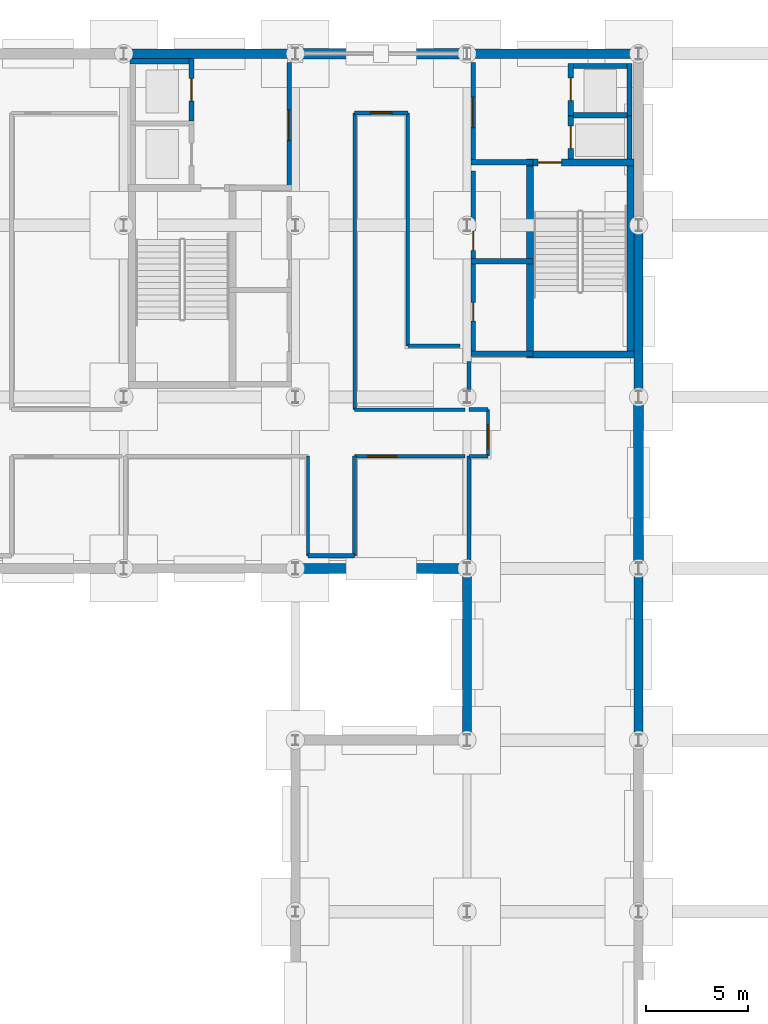
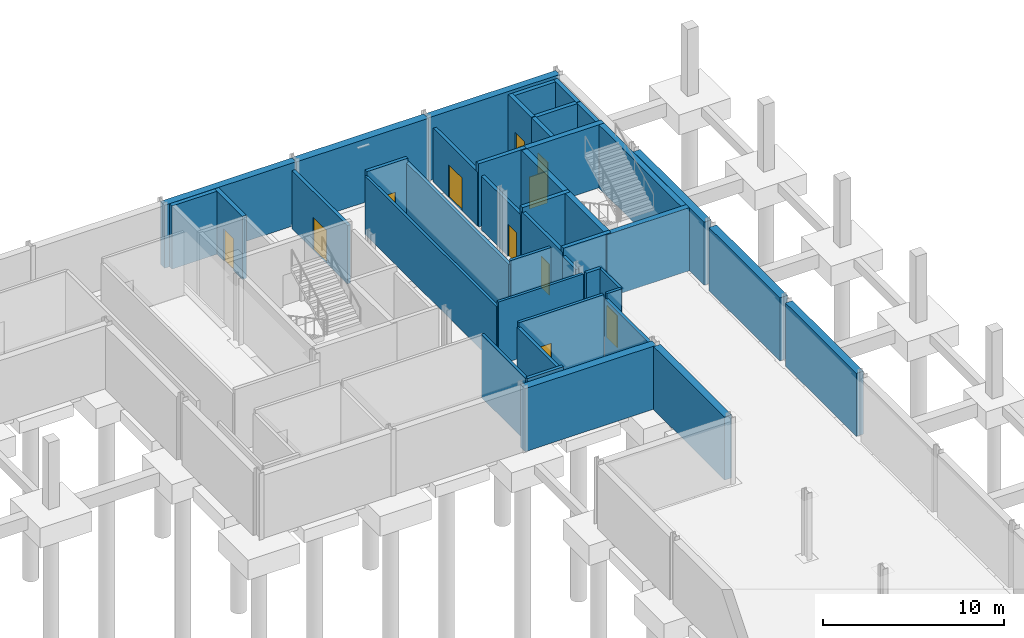
# One storey, part 33 of 43: 41 walls, 11 doors, 11 openings.
"""IFC4 building model written with IfcOpenShell, lengths in metres."""

from ifc_helpers import new_model, si_unit, direction, frame, frame_2d, origin, place, context, subcontext, project, spatial, rectangle, extrude, material, layer, layer_set, type_object, element, fill, save


model = new_model("IFC4")

# Units and contexts
model_context = context("Model", 3, precision=1e-05, world=origin(), true_north=direction((0.0, 1.0)))
body_context = subcontext(model_context, "Body", "Model", "MODEL_VIEW")
ifc_project = project(units=[si_unit("LENGTHUNIT", "METRE"), si_unit("AREAUNIT", "SQUARE_METRE"), si_unit("VOLUMEUNIT", "CUBIC_METRE"), si_unit("PLANEANGLEUNIT", "RADIAN"), si_unit("MASSUNIT", "GRAM", prefix="KILO")], contexts=[model_context])

# Site, building, storey
site_placement = place(None, origin())
site = spatial("IfcSite", under=ifc_project, at=site_placement, CompositionType="ELEMENT")
building_placement = place(site_placement, origin())
building = spatial("IfcBuilding", under=site, at=building_placement, Name="Mersafa Astral City Hall", CompositionType="ELEMENT")
storey_placement = place(building_placement, frame((0.0, 0.0, -4.5)))
storey = spatial("IfcBuildingStorey", under=building, at=storey_placement, Name="B1", CompositionType="ELEMENT", Elevation=-4.5)

# Walls
ifc_material_1 = material(Name="Concrete C40/50", Category="concrete")
ifc_layer_1 = layer(ifc_material_1, 0.449951171875, Name="Concrete C40/50")
ifc_layer_set_1 = layer_set([ifc_layer_1], Name="Concrete C40/50 — ENV-WAL-RET-450")
wall_type_1 = type_object("IfcWallType", Name="ENV-WAL-RET-450", PredefinedType="USERDEFINED", material=ifc_layer_set_1)
for number, where, z_axis, x_axis, name in (
    (1, (168.0, 100.514892578125, 0.0), (0.0, 0.0, 1.0), (0.0, -1.0, 0.0), "B1 Perimeter retaining wall 21"),
    (2, (176.39990234375, 92.68505859375, 0.0), (0.0, 0.0, 1.0), (0.0, 1.0, 0.0), "B1 Perimeter retaining wall 35"),
    (3, (176.39990234375, 109.485107421875, 0.0), (0.0, 0.0, 1.0), (0.0, 1.0, 0.0), "B1 Perimeter retaining wall 37"),
):
    element("IfcWall", number, at=place(storey_placement, frame(where, z_axis=z_axis, x_axis=x_axis)), inside=storey, type_object=wall_type_1, Name=name, ObjectType="RETAININGWALL", PredefinedType="USERDEFINED", context=body_context, shape_type="SweptSolid", body=[
        extrude(rectangle(XDim=7.829833984375, YDim=0.449951171875, at=frame_2d((3.9150390625, 0.0))), origin(), (0.0, 0.0, 1.0), 4.25),
    ])
for number, where, z_axis, x_axis, name in (
    (4, (176.39208984375, 126.0, 0.0), (0.0, 0.0, 1.0), (-1.0, 0.0, 0.0), "B1 Perimeter retaining wall 39"),
    (5, (159.592041015625, 126.0, 0.0), (0.0, 0.0, 1.0), (-1.0, 0.0, 0.0), "B1 Perimeter retaining wall 41"),
):
    element("IfcWall", number, at=place(storey_placement, frame(where, z_axis=z_axis, x_axis=x_axis)), inside=storey, type_object=wall_type_1, Name=name, ObjectType="RETAININGWALL", PredefinedType="USERDEFINED", context=body_context, shape_type="SweptSolid", body=[
        extrude(rectangle(XDim=8.384033203125, YDim=0.449951171875, at=frame_2d((4.19189453125, 0.0))), origin(), (0.0, 0.0, 1.0), 4.25),
    ])
ifc_layer_2 = layer(ifc_material_1, 0.5, Name="Concrete C40/50")
ifc_layer_set_2 = layer_set([ifc_layer_2], Name="Concrete C40/50 — ENV-WAL-RET-500")
wall_type_2 = type_object("IfcWallType", Name="ENV-WAL-RET-500", PredefinedType="USERDEFINED", material=ifc_layer_set_2)
wall_1_placement = place(storey_placement, frame((159.60791015625, 100.800048828125, 0.0), z_axis=(0.0, 0.0, 1.0), x_axis=(1.0, 0.0, 0.0)))
element("IfcWall", 6, at=wall_1_placement, inside=storey, type_object=wall_type_2, Name="B1 Perimeter retaining wall 20", ObjectType="RETAININGWALL", PredefinedType="USERDEFINED", context=body_context, shape_type="SweptSolid", body=[
    extrude(rectangle(XDim=8.384033203125, YDim=0.5, at=frame_2d((4.19189453125, 0.0))), origin(), (0.0, 0.0, 1.0), 4.25),
])
wall_2_placement = place(storey_placement, frame((176.39990234375, 101.0849609375, 0.0), z_axis=(0.0, 0.0, 1.0), x_axis=(0.0, 1.0, 0.0)))
element("IfcWall", 7, at=wall_2_placement, inside=storey, type_object=wall_type_2, Name="B1 Perimeter retaining wall 36", ObjectType="RETAININGWALL", PredefinedType="USERDEFINED", context=body_context, shape_type="SweptSolid", body=[
    extrude(rectangle(XDim=7.830078125, YDim=0.5, at=frame_2d((3.9150390625, 0.0))), origin(), (0.0, 0.0, 1.0), 4.25),
])
wall_3_placement = place(storey_placement, frame((167.991943359375, 126.0, 0.0), z_axis=(0.0, 0.0, 1.0), x_axis=(-1.0, 0.0, 0.0)))
element("IfcWall", 8, at=wall_3_placement, inside=storey, type_object=wall_type_2, Name="B1 Perimeter retaining wall 40", ObjectType="RETAININGWALL", PredefinedType="USERDEFINED", context=body_context, shape_type="SweptSolid", body=[
    extrude(rectangle(XDim=8.384033203125, YDim=0.5, at=frame_2d((4.19189453125, 0.0))), origin(), (0.0, 0.0, 1.0), 4.25),
])
ifc_layer_3 = layer(ifc_material_1, 0.260009765625, Name="Concrete C40/50")
ifc_layer_set_3 = layer_set([ifc_layer_3], Name="Concrete C40/50 — INT-WAL-CORE-260")
wall_type_3 = type_object("IfcWallType", Name="INT-WAL-CORE-260", PredefinedType="SHEAR", material=ifc_layer_set_3)
wall_4_placement = place(storey_placement, frame((151.514892578125, 125.635009765625, 0.0), z_axis=(0.0, 0.0, 1.0), x_axis=(1.0, 0.0, 0.0)))
element("IfcWall", 9, at=wall_4_placement, inside=storey, type_object=wall_type_3, Name="B1 Lift LF3 north shaft wall", PredefinedType="SHEAR", context=body_context, shape_type="SweptSolid", body=[
    extrude(rectangle(XDim=3.130126953125, YDim=0.260009765625, at=frame_2d((1.56494140625, 0.0))), origin(), (0.0, 0.0, 1.0), 4.25),
])

# Wall, opening, door
wall_5_placement = place(storey_placement, frame((154.514892578125, 122.705078125, 0.0), z_axis=(0.0, 0.0, 1.0), x_axis=(0.0, 1.0, 0.0)))
wall_5 = element("IfcWall", 10, at=wall_5_placement, inside=storey, type_object=wall_type_3, Name="B1 Lift LF3 front shaft wall", PredefinedType="SHEAR", context=body_context, shape_type="SweptSolid", body=[
    extrude(rectangle(XDim=3.059814453125, YDim=0.260009765625, at=frame_2d((1.52978515625, 0.0))), origin(), (0.0, 0.0, 1.0), 4.25),
])
opening_1_placement = place(wall_5_placement, frame((0.97998046875, 0.0, 0.0)))
opening_1 = element("IfcOpeningElement", 11, at=opening_1_placement, cuts=wall_5, Name="Opening LD-1", PredefinedType="OPENING", context=body_context, shape_type="SweptSolid", body=[
    extrude(rectangle(XDim=1.10009765625, YDim=2.14990234375, at=frame_2d((0.550048828125, 1.074951171875))), frame((0.0, 0.139892578125, 0.0), z_axis=(0.0, -1.0, 0.0), x_axis=(1.0, 0.0, 0.0)), (0.0, 0.0, 1.0), 0.280029296875),
])
ifc_material_2 = material(Name="Stainless steel sliding lift landing door", Category="steel")
door_type_1 = type_object("IfcDoorType", Name="INT-DR-LIFT-LD1", OperationType="NOTDEFINED", PredefinedType="DOOR", material=ifc_material_2)
door_1_placement = place(opening_1_placement, origin())
door_1 = element("IfcDoor", 12, at=door_1_placement, inside=storey, type_object=door_type_1, Name="Elevator LF3 Sliding Landing Door B1", OperationType="DOUBLE_DOOR_SLIDING", OverallHeight=2.14990234375, OverallWidth=1.10009765625, PredefinedType="DOOR", context=body_context, shape_type="SweptSolid", body=[
    extrude(rectangle(XDim=1.10009765625, YDim=2.14990234375, at=frame_2d((0.550048828125, 1.074951171875))), frame((0.0, 0.02490234375, 0.0), z_axis=(0.0, -1.0, 0.0), x_axis=(1.0, 0.0, 0.0)), (0.0, 0.0, 1.0), 0.050048828125),
])
fill(opening_1, door_1)

# Walls
wall_6_placement = place(storey_placement, frame((172.955078125, 122.9951171875, 0.0), z_axis=(0.0, 0.0, 1.0), x_axis=(1.0, 0.0, 0.0)))
element("IfcWall", 13, at=wall_6_placement, inside=storey, type_object=wall_type_3, Name="B1 Lift LF2 north shaft wall", PredefinedType="SHEAR", context=body_context, shape_type="SweptSolid", body=[
    extrude(rectangle(XDim=3.1298828125, YDim=0.260009765625, at=frame_2d((1.56494140625, 0.0))), origin(), (0.0, 0.0, 1.0), 4.25),
])
wall_7_placement = place(storey_placement, frame((175.955078125, 120.846923828125, 0.0), z_axis=(0.0, 0.0, 1.0), x_axis=(0.0, 1.0, 0.0)))
element("IfcWall", 14, at=wall_7_placement, inside=storey, type_object=wall_type_3, Name="B1 Lift LF2 back shaft wall", PredefinedType="SHEAR", context=body_context, shape_type="SweptSolid", body=[
    extrude(rectangle(XDim=2.108154296875, YDim=0.260009765625, at=frame_2d((1.05419921875, 0.0))), origin(), (0.0, 0.0, 1.0), 4.25),
])

# Wall, opening, door
wall_8_placement = place(storey_placement, frame((173.0849609375, 120.846923828125, 0.0), z_axis=(0.0, 0.0, 1.0), x_axis=(0.0, 1.0, 0.0)))
wall_8 = element("IfcWall", 15, at=wall_8_placement, inside=storey, type_object=wall_type_3, Name="B1 Lift LF2 front shaft wall", PredefinedType="SHEAR", context=body_context, shape_type="SweptSolid", body=[
    extrude(rectangle(XDim=2.108154296875, YDim=0.260009765625, at=frame_2d((1.05419921875, 0.0))), origin(), (0.0, 0.0, 1.0), 4.25),
])
opening_2_placement = place(wall_8_placement, frame((0.50390625, 0.0, 0.0)))
opening_2 = element("IfcOpeningElement", 16, at=opening_2_placement, cuts=wall_8, Name="Opening LD-1", PredefinedType="OPENING", context=body_context, shape_type="SweptSolid", body=[
    extrude(rectangle(XDim=1.10009765625, YDim=2.14990234375, at=frame_2d((0.550048828125, 1.074951171875))), frame((0.0, 0.139892578125, 0.0), z_axis=(0.0, -1.0, 0.0), x_axis=(1.0, 0.0, 0.0)), (0.0, 0.0, 1.0), 0.280029296875),
])
door_2_placement = place(opening_2_placement, origin())
door_2 = element("IfcDoor", 17, at=door_2_placement, inside=storey, type_object=door_type_1, Name="Elevator LF2 Sliding Landing Door B1", OperationType="DOUBLE_DOOR_SLIDING", OverallHeight=2.14990234375, OverallWidth=1.10009765625, PredefinedType="DOOR", context=body_context, shape_type="SweptSolid", body=[
    extrude(rectangle(XDim=1.10009765625, YDim=2.14990234375, at=frame_2d((0.550048828125, 1.074951171875))), frame((0.0, 0.02490234375, 0.0), z_axis=(0.0, -1.0, 0.0), x_axis=(1.0, 0.0, 0.0)), (0.0, 0.0, 1.0), 0.050048828125),
])
fill(opening_2, door_2)

# Walls
wall_9_placement = place(storey_placement, frame((172.955078125, 125.39501953125, 0.0), z_axis=(0.0, 0.0, 1.0), x_axis=(1.0, 0.0, 0.0)))
element("IfcWall", 18, at=wall_9_placement, inside=storey, type_object=wall_type_3, Name="B1 Lift LF4 north shaft wall", PredefinedType="SHEAR", context=body_context, shape_type="SweptSolid", body=[
    extrude(rectangle(XDim=3.1298828125, YDim=0.260009765625, at=frame_2d((1.56494140625, 0.0))), origin(), (0.0, 0.0, 1.0), 4.25),
])
wall_10_placement = place(storey_placement, frame((175.955078125, 122.985107421875, 0.0), z_axis=(0.0, 0.0, 1.0), x_axis=(0.0, 1.0, 0.0)))
element("IfcWall", 19, at=wall_10_placement, inside=storey, type_object=wall_type_3, Name="B1 Lift LF4 back shaft wall", PredefinedType="SHEAR", context=body_context, shape_type="SweptSolid", body=[
    extrude(rectangle(XDim=2.539794921875, YDim=0.260009765625, at=frame_2d((1.27001953125, 0.0))), origin(), (0.0, 0.0, 1.0), 4.25),
])

# Wall, opening, door
wall_11_placement = place(storey_placement, frame((173.0849609375, 122.985107421875, 0.0), z_axis=(0.0, 0.0, 1.0), x_axis=(0.0, 1.0, 0.0)))
wall_11 = element("IfcWall", 20, at=wall_11_placement, inside=storey, type_object=wall_type_3, Name="B1 Lift LF4 front shaft wall", PredefinedType="SHEAR", context=body_context, shape_type="SweptSolid", body=[
    extrude(rectangle(XDim=2.539794921875, YDim=0.260009765625, at=frame_2d((1.27001953125, 0.0))), origin(), (0.0, 0.0, 1.0), 4.25),
])
opening_3_placement = place(wall_11_placement, frame((0.719970703125, 0.0, 0.0)))
opening_3 = element("IfcOpeningElement", 21, at=opening_3_placement, cuts=wall_11, Name="Opening LD-1", PredefinedType="OPENING", context=body_context, shape_type="SweptSolid", body=[
    extrude(rectangle(XDim=1.10009765625, YDim=2.14990234375, at=frame_2d((0.550048828125, 1.074951171875))), frame((0.0, 0.139892578125, 0.0), z_axis=(0.0, -1.0, 0.0), x_axis=(1.0, 0.0, 0.0)), (0.0, 0.0, 1.0), 0.280029296875),
])
door_3_placement = place(opening_3_placement, origin())
door_3 = element("IfcDoor", 22, at=door_3_placement, inside=storey, type_object=door_type_1, Name="Elevator LF4 Sliding Landing Door B1", OperationType="DOUBLE_DOOR_SLIDING", OverallHeight=2.14990234375, OverallWidth=1.10009765625, PredefinedType="DOOR", context=body_context, shape_type="SweptSolid", body=[
    extrude(rectangle(XDim=1.10009765625, YDim=2.14990234375, at=frame_2d((0.550048828125, 1.074951171875))), frame((0.0, 0.02490234375, 0.0), z_axis=(0.0, -1.0, 0.0), x_axis=(1.0, 0.0, 0.0)), (0.0, 0.0, 1.0), 0.050048828125),
])
fill(opening_3, door_3)

# Walls
for number, where, z_axis, x_axis, name in (
    (23, (168.199951171875, 111.320068359375, 0.0), (0.0, 0.0, 1.0), (1.0, 0.0, 0.0), "B1 Core K2 riser south wall"),
    (24, (168.199951171875, 115.8349609375, 0.0), (0.0, 0.0, 1.0), (1.0, 0.0, 0.0), "B1 Core K2 riser-restroom divider wall"),
    (25, (168.199951171875, 120.68994140625, 0.0), (0.0, 0.0, 1.0), (1.0, 0.0, 0.0), "B1 Core K2 restroom-lobby divider wall"),
):
    element("IfcWall", number, at=place(storey_placement, frame(where, z_axis=z_axis, x_axis=x_axis)), inside=storey, type_object=wall_type_3, Name=name, PredefinedType="SHEAR", context=body_context, shape_type="SweptSolid", body=[
        extrude(rectangle(XDim=3.03515625, YDim=0.260009765625, at=frame_2d((1.517578125, 0.0))), origin(), (0.0, 0.0, 1.0), 4.25),
    ])
ifc_layer_4 = layer(ifc_material_1, 0.340087890625, Name="Concrete C40/50")
ifc_layer_set_4 = layer_set([ifc_layer_4], Name="Concrete C40/50 — INT-WAL-CORE-340")
wall_type_4 = type_object("IfcWallType", Name="INT-WAL-CORE-340", PredefinedType="SHEAR", material=ifc_layer_set_4)
for number, where, z_axis, x_axis, name in (
    (26, (171.0849609375, 111.10498046875, 0.0), (0.0, 0.0, 1.0), (0.0, 1.0, 0.0), "B1 Core K2 stair west shear wall"),
    (27, (175.9951171875, 111.10498046875, 0.0), (0.0, 0.0, 1.0), (0.0, 1.0, 0.0), "B1 Core K2 stair east shear wall"),
):
    element("IfcWall", number, at=place(storey_placement, frame(where, z_axis=z_axis, x_axis=x_axis)), inside=storey, type_object=wall_type_4, Name=name, PredefinedType="SHEAR", context=body_context, shape_type="SweptSolid", body=[
        extrude(rectangle(XDim=9.739990234375, YDim=0.340087890625, at=frame_2d((4.8701171875, 0.0))), origin(), (0.0, 0.0, 1.0), 4.25),
    ])
wall_12_placement = place(storey_placement, frame((170.9150390625, 111.27490234375, 0.0), z_axis=(0.0, 0.0, 1.0), x_axis=(1.0, 0.0, 0.0)))
element("IfcWall", 28, at=wall_12_placement, inside=storey, type_object=wall_type_4, Name="B1 Core K2 stair south shear wall", PredefinedType="SHEAR", context=body_context, shape_type="SweptSolid", body=[
    extrude(rectangle(XDim=5.25, YDim=0.340087890625, at=frame_2d((2.625, 0.0))), origin(), (0.0, 0.0, 1.0), 4.25),
])

# Wall, opening, door
wall_13_placement = place(storey_placement, frame((170.9150390625, 120.675048828125, 0.0), z_axis=(0.0, 0.0, 1.0), x_axis=(1.0, 0.0, 0.0)))
wall_13 = element("IfcWall", 29, at=wall_13_placement, inside=storey, type_object=wall_type_4, Name="B1 Core K2 stair-lobby fire wall", PredefinedType="SHEAR", context=body_context, shape_type="SweptSolid", body=[
    extrude(rectangle(XDim=5.25, YDim=0.340087890625, at=frame_2d((2.625, 0.0))), origin(), (0.0, 0.0, 1.0), 4.25),
])
opening_4_placement = place(wall_13_placement, frame((0.56494140625, 0.0, 0.0)))
opening_4 = element("IfcOpeningElement", 30, at=opening_4_placement, cuts=wall_13, Name="Opening CD-1", PredefinedType="OPENING", context=body_context, shape_type="SweptSolid", body=[
    extrude(rectangle(XDim=1.14990234375, YDim=2.14990234375, at=frame_2d((0.574951171875, 1.074951171875))), frame((0.0, 0.179931640625, 0.0), z_axis=(0.0, -1.0, 0.0), x_axis=(1.0, 0.0, 0.0)), (0.0, 0.0, 1.0), 0.360107421875),
])
ifc_material_3 = material(Name="Fire-rated steel stair door", Category="steel")
door_type_2 = type_object("IfcDoorType", Name="INT-DR-STAIR-FD90-1150", OperationType="NOTDEFINED", PredefinedType="DOOR", material=ifc_material_3)
door_4_placement = place(opening_4_placement, origin())
door_4 = element("IfcDoor", 31, at=door_4_placement, inside=storey, type_object=door_type_2, Name="B1 Protected Stair ST2 Door", OperationType="SINGLE_SWING_LEFT", OverallHeight=2.14990234375, OverallWidth=1.14990234375, PredefinedType="DOOR", context=body_context, shape_type="SweptSolid", body=[
    extrude(rectangle(XDim=1.14990234375, YDim=2.14990234375, at=frame_2d((0.574951171875, 1.074951171875))), frame((0.0, 0.02490234375, 0.0), z_axis=(0.0, -1.0, 0.0), x_axis=(1.0, 0.0, 0.0)), (0.0, 0.0, 1.0), 0.050048828125),
])
fill(opening_4, door_4)

ifc_material_4 = material(Name="Fire-rated gypsum stud partition", Category="gypsum")
ifc_layer_5 = layer(ifc_material_4, 0.1650390625, Name="Fire-rated gypsum stud partition")
ifc_layer_set_5 = layer_set([ifc_layer_5], Name="Fire-rated gypsum stud partition — INT-WAL-PART-EI60-165")
wall_type_5 = type_object("IfcWallType", Name="INT-WAL-PART-EI60-165", PredefinedType="STANDARD", material=ifc_layer_set_5)
wall_14_placement = place(storey_placement, frame((169.030029296875, 106.300048828125, -0.00390625), z_axis=(0.0, 0.0, 1.0), x_axis=(0.0, 1.0, 0.0)))
wall_14 = element("IfcWall", 32, at=wall_14_placement, inside=storey, type_object=wall_type_5, Name="B1 Interior partition wall 71", PredefinedType="STANDARD", context=body_context, shape_type="SweptSolid", body=[
    extrude(rectangle(XDim=2.280029296875, YDim=0.1650390625, at=frame_2d((1.14013671875, 0.0))), origin(), (0.0, 0.0, 1.0), 4.25390625),
])
opening_5_placement = place(wall_14_placement, frame((0.360107421875, 0.0, 0.014892578125)))
opening_5 = element("IfcOpeningElement", 33, at=opening_5_placement, cuts=wall_14, Name="Opening D-14", PredefinedType="OPENING", context=body_context, shape_type="SweptSolid", body=[
    extrude(rectangle(XDim=1.179931640625, YDim=2.139892578125, at=frame_2d((0.58984375, 1.06982421875))), frame((0.0, 0.092529296875, 0.0), z_axis=(0.0, -1.0, 0.0), x_axis=(1.0, 0.0, 0.0)), (0.0, 0.0, 1.0), 0.18505859375),
])
ifc_material_5 = material(Name="Cedar veneered acoustic fire-rated timber door", Category="wood")
door_type_3 = type_object("IfcDoorType", Name="INT-DR-RM-D-14", OperationType="NOTDEFINED", PredefinedType="DOOR", material=ifc_material_5)
door_5_placement = place(opening_5_placement, origin())
door_5 = element("IfcDoor", 34, at=door_5_placement, inside=storey, type_object=door_type_3, Name="B1 Central Archive Stack B1-13 Entrance Door", OperationType="SINGLE_SWING_RIGHT", OverallHeight=2.139892578125, OverallWidth=1.179931640625, PredefinedType="DOOR", context=body_context, shape_type="SweptSolid", body=[
    extrude(rectangle(XDim=1.179931640625, YDim=2.139892578125, at=frame_2d((0.58984375, 1.06982421875))), frame((0.0, 0.02490234375, 0.0), z_axis=(0.0, -1.0, 0.0), x_axis=(1.0, 0.0, 0.0)), (0.0, 0.0, 1.0), 0.050048828125),
])
fill(opening_5, door_5)

# Walls
wall_15_placement = place(storey_placement, frame((160.219970703125, 106.300048828125, -0.00390625), z_axis=(0.0, 0.0, 1.0), x_axis=(0.0, -1.0, 0.0)))
element("IfcWall", 35, at=wall_15_placement, inside=storey, type_object=wall_type_5, Name="B1 Interior partition wall 79", PredefinedType="STANDARD", context=body_context, shape_type="SweptSolid", body=[
    extrude(rectangle(XDim=4.880126953125, YDim=0.1650390625, at=frame_2d((2.43994140625, 0.0))), origin(), (0.0, 0.0, 1.0), 4.25390625),
])
wall_16_placement = place(storey_placement, frame((162.5, 108.580078125, -0.00390625), z_axis=(0.0, 0.0, 1.0), x_axis=(0.0, 1.0, 0.0)))
element("IfcWall", 36, at=wall_16_placement, inside=storey, type_object=wall_type_5, Name="B1 Interior partition wall 91", PredefinedType="STANDARD", context=body_context, shape_type="SweptSolid", body=[
    extrude(rectangle(XDim=14.52001953125, YDim=0.1650390625, at=frame_2d((7.260009765625, 0.0))), origin(), (0.0, 0.0, 1.0), 3.935791015625),
])
wall_17_placement = place(storey_placement, frame((167.909912109375, 108.580078125, -0.00390625), z_axis=(0.0, 0.0, 1.0), x_axis=(-1.0, 0.0, 0.0)))
element("IfcWall", 37, at=wall_17_placement, inside=storey, type_object=wall_type_5, Name="B1 Interior partition wall 95", PredefinedType="STANDARD", context=body_context, shape_type="SweptSolid", body=[
    extrude(rectangle(XDim=5.409912109375, YDim=0.1650390625, at=frame_2d((2.705078125, 0.0))), origin(), (0.0, 0.0, 1.0), 4.25390625),
])
ifc_material_6 = material(Name="Acoustic twin-stud gypsum partition", Category="gypsum")
ifc_layer_6 = layer(ifc_material_6, 0.179931640625, Name="Acoustic twin-stud gypsum partition")
ifc_layer_set_6 = layer_set([ifc_layer_6], Name="Acoustic twin-stud gypsum partition — INT-WAL-PART-EI60-180")
wall_type_6 = type_object("IfcWallType", Name="INT-WAL-PART-EI60-180", PredefinedType="STANDARD", material=ifc_layer_set_6)
wall_18_placement = place(storey_placement, frame((168.090087890625, 106.300048828125, -0.00390625), z_axis=(0.0, 0.0, 1.0), x_axis=(1.0, 0.0, 0.0)))
element("IfcWall", 38, at=wall_18_placement, inside=storey, type_object=wall_type_6, Name="B1 Interior partition wall 70", PredefinedType="STANDARD", context=body_context, shape_type="SweptSolid", body=[
    extrude(rectangle(XDim=0.93994140625, YDim=0.179931640625, at=frame_2d((0.469970703125, 0.0))), origin(), (0.0, 0.0, 1.0), 4.25390625),
])

# Wall, opening, door
wall_19_placement = place(storey_placement, frame((162.5, 106.300048828125, -0.00390625), z_axis=(0.0, 0.0, 1.0), x_axis=(1.0, 0.0, 0.0)))
wall_19 = element("IfcWall", 39, at=wall_19_placement, inside=storey, type_object=wall_type_6, Name="B1 Interior partition wall 82", PredefinedType="STANDARD", context=body_context, shape_type="SweptSolid", body=[
    extrude(rectangle(XDim=5.409912109375, YDim=0.179931640625, at=frame_2d((2.705078125, 0.0))), origin(), (0.0, 0.0, 1.0), 4.25390625),
])
opening_6_placement = place(wall_19_placement, frame((0.652587890625, 0.0, 0.014892578125)))
opening_6 = element("IfcOpeningElement", 40, at=opening_6_placement, cuts=wall_19, Name="Opening D-16", PredefinedType="OPENING", context=body_context, shape_type="SweptSolid", body=[
    extrude(rectangle(XDim=1.39990234375, YDim=2.139892578125, at=frame_2d((0.699951171875, 1.06982421875))), frame((0.0, 0.099853515625, 0.0), z_axis=(0.0, -1.0, 0.0), x_axis=(1.0, 0.0, 0.0)), (0.0, 0.0, 1.0), 0.199951171875),
])
door_type_4 = type_object("IfcDoorType", Name="INT-DR-RM-D-16", OperationType="NOTDEFINED", PredefinedType="DOOR", material=ifc_material_5)
door_6_placement = place(opening_6_placement, origin())
door_6 = element("IfcDoor", 41, at=door_6_placement, inside=storey, type_object=door_type_4, Name="B1 Municipal Deeds Repository B1-15 Entrance Door", OperationType="SINGLE_SWING_RIGHT", OverallHeight=2.139892578125, OverallWidth=1.39990234375, PredefinedType="DOOR", context=body_context, shape_type="SweptSolid", body=[
    extrude(rectangle(XDim=1.39990234375, YDim=2.139892578125, at=frame_2d((0.699951171875, 1.06982421875))), frame((0.0, 0.02490234375, 0.0), z_axis=(0.0, -1.0, 0.0), x_axis=(1.0, 0.0, 0.0)), (0.0, 0.0, 1.0), 0.050048828125),
])
fill(opening_6, door_6)

# Walls
wall_20_placement = place(storey_placement, frame((165.10009765625, 111.699951171875, -0.00390625), z_axis=(0.0, 0.0, 1.0), x_axis=(1.0, 0.0, 0.0)))
element("IfcWall", 42, at=wall_20_placement, inside=storey, type_object=wall_type_6, Name="B1 Interior partition wall 94", PredefinedType="STANDARD", context=body_context, shape_type="SweptSolid", body=[
    extrude(rectangle(XDim=2.559814453125, YDim=0.179931640625, at=frame_2d((1.27978515625, 0.0))), origin(), (0.0, 0.0, 1.0), 4.25390625),
])
ifc_layer_7 = layer(ifc_material_6, 0.195068359375, Name="Acoustic twin-stud gypsum partition")
ifc_layer_set_7 = layer_set([ifc_layer_7], Name="Acoustic twin-stud gypsum partition — INT-WAL-PART-EI60-195")
wall_type_7 = type_object("IfcWallType", Name="INT-WAL-PART-EI60-195", PredefinedType="STANDARD", material=ifc_layer_set_7)
wall_21_placement = place(storey_placement, frame((168.090087890625, 101.2099609375, -0.00390625), z_axis=(0.0, 0.0, 1.0), x_axis=(0.0, 1.0, 0.0)))
element("IfcWall", 43, at=wall_21_placement, inside=storey, type_object=wall_type_7, Name="B1 Interior partition wall 69", PredefinedType="STANDARD", context=body_context, shape_type="SweptSolid", body=[
    extrude(rectangle(XDim=5.090087890625, YDim=0.195068359375, at=frame_2d((2.544921875, 0.0))), origin(), (0.0, 0.0, 1.0), 3.885986328125),
])
wall_22_placement = place(storey_placement, frame((168.090087890625, 109.481689453125, -0.00390625), z_axis=(0.0, 0.0, 1.0), x_axis=(0.0, 1.0, 0.0)))
element("IfcWall", 44, at=wall_22_placement, inside=storey, type_object=wall_type_7, Name="B1 Interior partition wall 73", PredefinedType="STANDARD", context=body_context, shape_type="SweptSolid", body=[
    extrude(rectangle(XDim=1.458251953125, YDim=0.195068359375, at=frame_2d((0.72900390625, 0.0))), origin(), (0.0, 0.0, 1.0), 3.926025390625),
])
wall_23_placement = place(storey_placement, frame((162.5, 101.419921875, -0.00390625), z_axis=(0.0, 0.0, 1.0), x_axis=(0.0, 1.0, 0.0)))
element("IfcWall", 45, at=wall_23_placement, inside=storey, type_object=wall_type_7, Name="B1 Interior partition wall 81", PredefinedType="STANDARD", context=body_context, shape_type="SweptSolid", body=[
    extrude(rectangle(XDim=4.880126953125, YDim=0.195068359375, at=frame_2d((2.43994140625, 0.0))), origin(), (0.0, 0.0, 1.0), 3.935791015625),
])
wall_24_placement = place(storey_placement, frame((165.10009765625, 123.10009765625, -0.00390625), z_axis=(0.0, 0.0, 1.0), x_axis=(0.0, -1.0, 0.0)))
element("IfcWall", 46, at=wall_24_placement, inside=storey, type_object=wall_type_7, Name="B1 Interior partition wall 93", PredefinedType="STANDARD", context=body_context, shape_type="SweptSolid", body=[
    extrude(rectangle(XDim=11.400146484375, YDim=0.195068359375, at=frame_2d((5.7001953125, 0.0))), origin(), (0.0, 0.0, 1.0), 3.9658203125),
])

# Wall, opening, door
ifc_material_7 = material(Name="Autoclaved aerated concrete blockwork plastered", Category="masonry")
ifc_layer_8 = layer(ifc_material_7, 0.2099609375, Name="Autoclaved aerated concrete blockwork plastered")
ifc_layer_set_8 = layer_set([ifc_layer_8], Name="Autoclaved aerated concrete blockwork plastered — INT-WAL-PART-EI60-210")
wall_type_8 = type_object("IfcWallType", Name="INT-WAL-PART-EI60-210", PredefinedType="STANDARD", material=ifc_layer_set_8)
wall_25_placement = place(storey_placement, frame((159.300048828125, 119.43994140625, 0.0), z_axis=(0.0, 0.0, 1.0), x_axis=(0.0, 1.0, 0.0)))
wall_25 = element("IfcWall", 47, at=wall_25_placement, inside=storey, type_object=wall_type_8, Name="B1 Core K1 lobby corridor partition", PredefinedType="STANDARD", context=body_context, shape_type="SweptSolid", body=[
    extrude(rectangle(XDim=6.1201171875, YDim=0.2099609375, at=frame_2d((3.06005859375, 0.0))), origin(), (0.0, 0.0, 1.0), 3.922119140625),
])
opening_7_placement = place(wall_25_placement, frame((2.31005859375, 0.0, 0.0)))
opening_7 = element("IfcOpeningElement", 48, at=opening_7_placement, cuts=wall_25, Name="Opening CD-3", PredefinedType="OPENING", context=body_context, shape_type="SweptSolid", body=[
    extrude(rectangle(XDim=1.5, YDim=2.199951171875, at=frame_2d((0.75, 1.10009765625))), frame((0.0, 0.114990234375, 0.0), z_axis=(0.0, -1.0, 0.0), x_axis=(1.0, 0.0, 0.0)), (0.0, 0.0, 1.0), 0.22998046875),
])
ifc_material_8 = material(Name="Fire-rated glazed lobby door pair", Category="metal")
door_type_5 = type_object("IfcDoorType", Name="INT-DR-LOBBY-FD90-1500", OperationType="NOTDEFINED", PredefinedType="DOOR", material=ifc_material_8)
door_7_placement = place(opening_7_placement, origin())
door_7 = element("IfcDoor", 49, at=door_7_placement, inside=storey, type_object=door_type_5, Name="B1 K1 Lift Lobby Fire Door", OperationType="DOUBLE_DOOR_SINGLE_SWING", OverallHeight=2.199951171875, OverallWidth=1.5, PredefinedType="DOOR", context=body_context, shape_type="SweptSolid", body=[
    extrude(rectangle(XDim=1.5, YDim=2.199951171875, at=frame_2d((0.75, 1.10009765625))), frame((0.0, 0.02490234375, 0.0), z_axis=(0.0, -1.0, 0.0), x_axis=(1.0, 0.0, 0.0)), (0.0, 0.0, 1.0), 0.050048828125),
])
fill(opening_7, door_7)

wall_26_placement = place(storey_placement, frame((168.300048828125, 111.320068359375, 0.0), z_axis=(0.0, 0.0, 1.0), x_axis=(0.0, 1.0, 0.0)))
wall_26 = element("IfcWall", 50, at=wall_26_placement, inside=storey, type_object=wall_type_8, Name="B1 Core K2 riser corridor partition", PredefinedType="STANDARD", context=body_context, shape_type="SweptSolid", body=[
    extrude(rectangle(XDim=4.489990234375, YDim=0.2099609375, at=frame_2d((2.2451171875, 0.0))), origin(), (0.0, 0.0, 1.0), 3.922119140625),
])
opening_8_placement = place(wall_26_placement, frame((1.60009765625, 0.0, 0.0)))
opening_8 = element("IfcOpeningElement", 51, at=opening_8_placement, cuts=wall_26, Name="Opening CD-5", PredefinedType="OPENING", context=body_context, shape_type="SweptSolid", body=[
    extrude(rectangle(XDim=0.89990234375, YDim=2.10009765625, at=frame_2d((0.449951171875, 1.050048828125))), frame((0.0, 0.114990234375, 0.0), z_axis=(0.0, -1.0, 0.0), x_axis=(1.0, 0.0, 0.0)), (0.0, 0.0, 1.0), 0.22998046875),
])
ifc_material_9 = material(Name="Fire-rated steel riser access door", Category="steel")
door_type_6 = type_object("IfcDoorType", Name="INT-DR-RISER-FD60-900", OperationType="NOTDEFINED", PredefinedType="DOOR", material=ifc_material_9)
door_8_placement = place(opening_8_placement, origin())
door_8 = element("IfcDoor", 52, at=door_8_placement, inside=storey, type_object=door_type_6, Name="B1 K2 MEP Riser Access Door", OperationType="SINGLE_SWING_LEFT", OverallHeight=2.10009765625, OverallWidth=0.89990234375, PredefinedType="DOOR", context=body_context, shape_type="SweptSolid", body=[
    extrude(rectangle(XDim=0.89990234375, YDim=2.10009765625, at=frame_2d((0.449951171875, 1.050048828125))), frame((0.0, 0.02490234375, 0.0), z_axis=(0.0, -1.0, 0.0), x_axis=(1.0, 0.0, 0.0)), (0.0, 0.0, 1.0), 0.050048828125),
])
fill(opening_8, door_8)

wall_27_placement = place(storey_placement, frame((168.300048828125, 115.919921875, 0.0), z_axis=(0.0, 0.0, 1.0), x_axis=(0.0, 1.0, 0.0)))
wall_27 = element("IfcWall", 53, at=wall_27_placement, inside=storey, type_object=wall_type_8, Name="B1 Core K2 accessible WC corridor partition", PredefinedType="STANDARD", context=body_context, shape_type="SweptSolid", body=[
    extrude(rectangle(XDim=4.330078125, YDim=0.2099609375, at=frame_2d((2.1650390625, 0.0))), origin(), (0.0, 0.0, 1.0), 3.632080078125),
])
opening_9_placement = place(wall_27_placement, frame((0.449951171875, 0.0, 0.0)))
opening_9 = element("IfcOpeningElement", 54, at=opening_9_placement, cuts=wall_27, Name="Opening CD-4", PredefinedType="OPENING", context=body_context, shape_type="SweptSolid", body=[
    extrude(rectangle(XDim=0.949951171875, YDim=2.14990234375, at=frame_2d((0.47509765625, 1.074951171875))), frame((0.0, 0.114990234375, 0.0), z_axis=(0.0, -1.0, 0.0), x_axis=(1.0, 0.0, 0.0)), (0.0, 0.0, 1.0), 0.22998046875),
])
ifc_material_10 = material(Name="Accessible timber acoustic WC door", Category="wood")
door_type_7 = type_object("IfcDoorType", Name="INT-DR-WC-FD30-950", OperationType="NOTDEFINED", PredefinedType="DOOR", material=ifc_material_10)
door_9_placement = place(opening_9_placement, origin())
door_9 = element("IfcDoor", 55, at=door_9_placement, inside=storey, type_object=door_type_7, Name="B1 K2 Accessible Restroom Door", OperationType="SINGLE_SWING_RIGHT", OverallHeight=2.14990234375, OverallWidth=0.949951171875, PredefinedType="DOOR", context=body_context, shape_type="SweptSolid", body=[
    extrude(rectangle(XDim=0.949951171875, YDim=2.14990234375, at=frame_2d((0.47509765625, 1.074951171875))), frame((0.0, 0.02490234375, 0.0), z_axis=(0.0, -1.0, 0.0), x_axis=(1.0, 0.0, 0.0)), (0.0, 0.0, 1.0), 0.050048828125),
])
fill(opening_9, door_9)

wall_28_placement = place(storey_placement, frame((168.300048828125, 120.699951171875, 0.0), z_axis=(0.0, 0.0, 1.0), x_axis=(0.0, 1.0, 0.0)))
wall_28 = element("IfcWall", 56, at=wall_28_placement, inside=storey, type_object=wall_type_8, Name="B1 Core K2 lobby corridor partition", PredefinedType="STANDARD", context=body_context, shape_type="SweptSolid", body=[
    extrude(rectangle(XDim=4.860107421875, YDim=0.2099609375, at=frame_2d((2.43017578125, 0.0))), origin(), (0.0, 0.0, 1.0), 3.632080078125),
])
opening_10_placement = place(wall_28_placement, frame((1.679931640625, 0.0, 0.0)))
opening_10 = element("IfcOpeningElement", 57, at=opening_10_placement, cuts=wall_28, Name="Opening CD-3", PredefinedType="OPENING", context=body_context, shape_type="SweptSolid", body=[
    extrude(rectangle(XDim=1.5, YDim=2.199951171875, at=frame_2d((0.75, 1.10009765625))), frame((0.0, 0.114990234375, 0.0), z_axis=(0.0, -1.0, 0.0), x_axis=(1.0, 0.0, 0.0)), (0.0, 0.0, 1.0), 0.22998046875),
])
door_10_placement = place(opening_10_placement, origin())
door_10 = element("IfcDoor", 58, at=door_10_placement, inside=storey, type_object=door_type_5, Name="B1 K2 Lift Lobby Fire Door", OperationType="DOUBLE_DOOR_SINGLE_SWING", OverallHeight=2.199951171875, OverallWidth=1.5, PredefinedType="DOOR", context=body_context, shape_type="SweptSolid", body=[
    extrude(rectangle(XDim=1.5, YDim=2.199951171875, at=frame_2d((0.75, 1.10009765625))), frame((0.0, 0.02490234375, 0.0), z_axis=(0.0, -1.0, 0.0), x_axis=(1.0, 0.0, 0.0)), (0.0, 0.0, 1.0), 0.050048828125),
])
fill(opening_10, door_10)

# Walls
wall_29_placement = place(storey_placement, frame((169.030029296875, 108.580078125, -0.00390625), z_axis=(0.0, 0.0, 1.0), x_axis=(-1.0, 0.0, 0.0)))
element("IfcWall", 59, at=wall_29_placement, inside=storey, type_object=wall_type_8, Name="B1 Interior partition wall 72", PredefinedType="STANDARD", context=body_context, shape_type="SweptSolid", body=[
    extrude(rectangle(XDim=0.93994140625, YDim=0.2099609375, at=frame_2d((0.469970703125, 0.0))), origin(), (0.0, 0.0, 1.0), 4.25390625),
])
wall_30_placement = place(storey_placement, frame((160.219970703125, 101.419921875, -0.00390625), z_axis=(0.0, 0.0, 1.0), x_axis=(1.0, 0.0, 0.0)))
element("IfcWall", 60, at=wall_30_placement, inside=storey, type_object=wall_type_8, Name="B1 Interior partition wall 80", PredefinedType="STANDARD", context=body_context, shape_type="SweptSolid", body=[
    extrude(rectangle(XDim=2.280029296875, YDim=0.2099609375, at=frame_2d((1.14013671875, 0.0))), origin(), (0.0, 0.0, 1.0), 4.25390625),
])

# Wall, opening, door
wall_31_placement = place(storey_placement, frame((162.5, 123.10009765625, -0.00390625), z_axis=(0.0, 0.0, 1.0), x_axis=(1.0, 0.0, 0.0)))
wall_31 = element("IfcWall", 61, at=wall_31_placement, inside=storey, type_object=wall_type_8, Name="B1 Interior partition wall 92", PredefinedType="STANDARD", context=body_context, shape_type="SweptSolid", body=[
    extrude(rectangle(XDim=2.60009765625, YDim=0.2099609375, at=frame_2d((1.300048828125, 0.0))), origin(), (0.0, 0.0, 1.0), 4.25390625),
])
opening_11_placement = place(wall_31_placement, frame((0.780029296875, 0.0, 0.014892578125)))
opening_11 = element("IfcOpeningElement", 62, at=opening_11_placement, cuts=wall_31, Name="Opening D-21", PredefinedType="OPENING", context=body_context, shape_type="SweptSolid", body=[
    extrude(rectangle(XDim=1.0400390625, YDim=2.219970703125, at=frame_2d((0.52001953125, 1.10986328125))), frame((0.0, 0.114990234375, 0.0), z_axis=(0.0, -1.0, 0.0), x_axis=(1.0, 0.0, 0.0)), (0.0, 0.0, 1.0), 0.22998046875),
])
door_type_8 = type_object("IfcDoorType", Name="INT-DR-RM-D-21", OperationType="NOTDEFINED", PredefinedType="DOOR", material=ifc_material_5)
door_11_placement = place(opening_11_placement, origin())
door_11 = element("IfcDoor", 63, at=door_11_placement, inside=storey, type_object=door_type_8, Name="B1 Domestic Water Booster Room B1-20 Entrance Door", OperationType="SINGLE_SWING_LEFT", OverallHeight=2.219970703125, OverallWidth=1.0400390625, PredefinedType="DOOR", context=body_context, shape_type="SweptSolid", body=[
    extrude(rectangle(XDim=1.0400390625, YDim=2.219970703125, at=frame_2d((0.52001953125, 1.10986328125))), frame((0.0, 0.02490234375, 0.0), z_axis=(0.0, -1.0, 0.0), x_axis=(1.0, 0.0, 0.0)), (0.0, 0.0, 1.0), 0.050048828125),
])
fill(opening_11, door_11)

save(model, "model.ifc")
